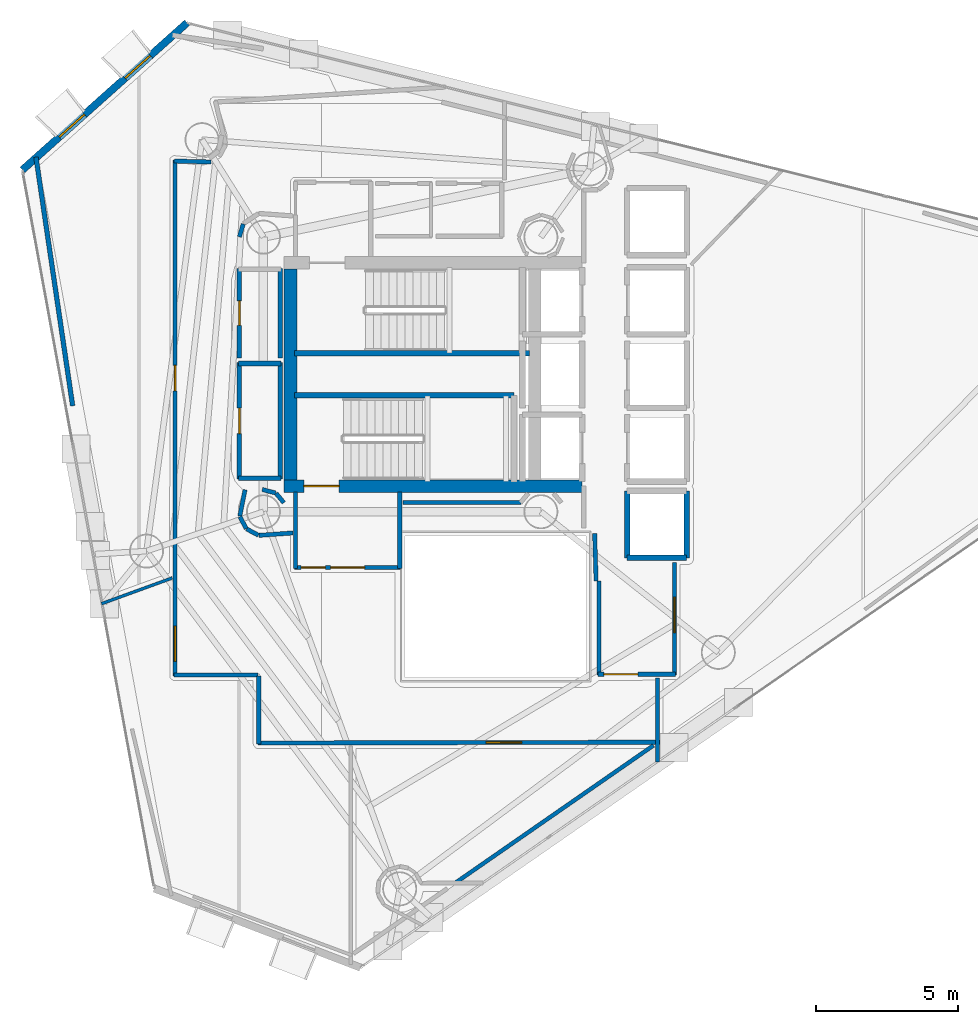
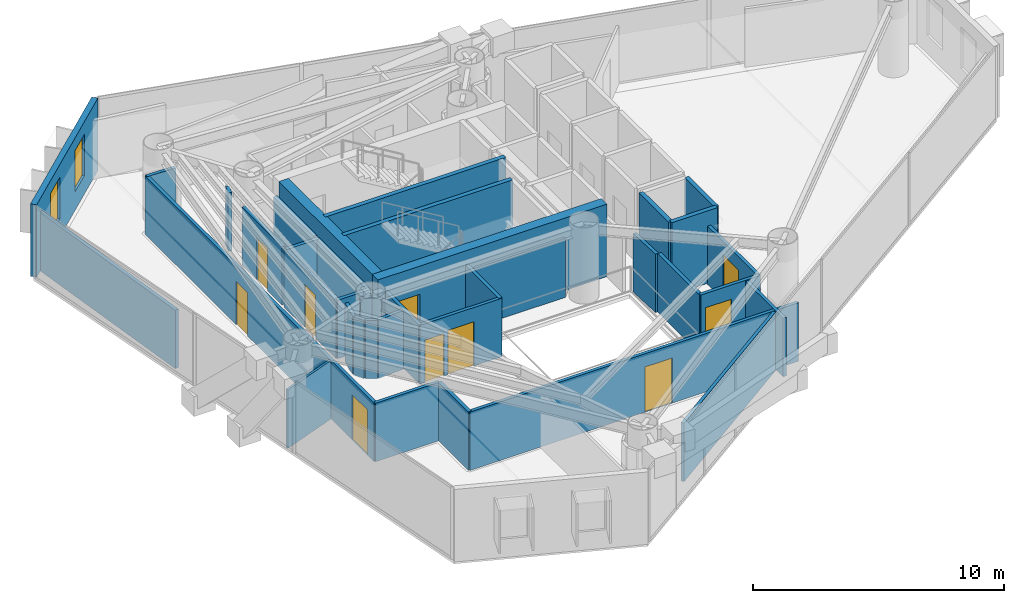
# One storey, part 19 of 23: 38 walls, 10 doors, 2 windows, 12 openings.
"""IFC4 building model written with IfcOpenShell, lengths in metres."""

from ifc_helpers import new_model, si_unit, direction, frame, frame_2d, origin, place, context, subcontext, project, spatial, rectangle, extrude, material, layer, layer_set, type_object, element, fill, save


model = new_model("IFC4")

# Units and contexts
model_context = context("Model", 3, precision=1e-05, world=origin(), true_north=direction((0.0, 1.0)))
body_context = subcontext(model_context, "Body", "Model", "MODEL_VIEW")
ifc_project = project(units=[si_unit("LENGTHUNIT", "METRE"), si_unit("AREAUNIT", "SQUARE_METRE"), si_unit("VOLUMEUNIT", "CUBIC_METRE"), si_unit("PLANEANGLEUNIT", "RADIAN"), si_unit("MASSUNIT", "GRAM", prefix="KILO")], contexts=[model_context])

# Site, building, storey
site_placement = place(None, origin())
site = spatial("IfcSite", under=ifc_project, at=site_placement, CompositionType="ELEMENT")
building_placement = place(site_placement, origin())
building = spatial("IfcBuilding", under=site, at=building_placement, Name="Qianvela Tower", CompositionType="ELEMENT")
storey_placement = place(building_placement, frame((0.0, 0.0, 192.89990234375)))
storey = spatial("IfcBuildingStorey", under=building, at=storey_placement, Name="L49", CompositionType="ELEMENT", Elevation=192.89990234375)

# Wall, openings, windows
ifc_material_1 = material(Name="Terracotta Cladding on Concrete C40", Category="masonry")
ifc_layer_1 = layer(ifc_material_1, 0.260009765625)
ifc_layer_set_1 = layer_set([ifc_layer_1], Name="Terracotta Cladding on Concrete C40")
wall_type_1 = type_object("IfcWallType", Name="TERRACOTTA-WALL-260", PredefinedType="SOLIDWALL", material=ifc_layer_set_1)
wall_1_placement = place(storey_placement, frame((25.903076171875, 41.1220703125, 0.0), z_axis=(0.0, 0.0, 1.0), x_axis=(-0.745644847866, -0.666343575681, 0.0)))
wall_1 = element("IfcWall", 1, at=wall_1_placement, inside=storey, type_object=wall_type_1, Name="L49 Terracotta Chamfer Facet Wall 3", PredefinedType="SOLIDWALL", context=body_context, shape_type="SweptSolid", body=[
    extrude(rectangle(XDim=7.798095703125, YDim=0.260009765625, at=frame_2d((3.89892578125, 0.0))), origin(), (0.0, 0.0, 1.0), 3.52001953125),
])
opening_1_placement = place(wall_1_placement, frame((1.739501953125, 0.0, 0.89990234375)))
opening_1 = element("IfcOpeningElement", 2, at=opening_1_placement, cuts=wall_1, Name="Opening W-03", PredefinedType="OPENING", context=body_context, shape_type="SweptSolid", body=[
    extrude(rectangle(XDim=1.199951171875, YDim=2.0, at=frame_2d((0.60009765625, 1.0))), frame((0.0, 0.139892578125, 0.0), z_axis=(0.0, -1.0, 0.0), x_axis=(1.0, 0.0, 0.0)), (0.0, 0.0, 1.0), 0.280029296875),
])
opening_2_placement = place(wall_1_placement, frame((4.858642578125, 0.0, 0.89990234375)))
opening_2 = element("IfcOpeningElement", 3, at=opening_2_placement, cuts=wall_1, Name="Opening W-03", PredefinedType="OPENING", context=body_context, shape_type="SweptSolid", body=[
    extrude(rectangle(XDim=1.199951171875, YDim=2.0, at=frame_2d((0.60009765625, 1.0))), frame((0.0, 0.139892578125, 0.0), z_axis=(0.0, -1.0, 0.0), x_axis=(1.0, 0.0, 0.0)), (0.0, 0.0, 1.0), 0.280029296875),
])
ifc_material_2 = material(Name="Thermally Broken Aluminium and Low-E Glass", Category="aluminium")
window_type = type_object("IfcWindowType", Name="WIN-TC-1200x2000", PartitioningType="SINGLE_PANEL", PredefinedType="WINDOW", material=ifc_material_2)
window_1_placement = place(opening_1_placement, origin())
window_1 = element("IfcWindow", 4, at=window_1_placement, inside=storey, type_object=window_type, Name="L49 Chamfer Facet Window 3.1", OverallHeight=2.0, OverallWidth=1.199951171875, PartitioningType="SINGLE_PANEL", PredefinedType="WINDOW", context=body_context, shape_type="SweptSolid", body=[
    extrude(rectangle(XDim=1.199951171875, YDim=2.0, at=frame_2d((0.60009765625, 1.0))), frame((0.0, 0.030029296875, 0.0), z_axis=(0.0, -1.0, 0.0), x_axis=(1.0, 0.0, 0.0)), (0.0, 0.0, 1.0), 0.06005859375),
])
fill(opening_1, window_1)
window_2_placement = place(opening_2_placement, origin())
window_2 = element("IfcWindow", 5, at=window_2_placement, inside=storey, type_object=window_type, Name="L49 Chamfer Facet Window 3.2", OverallHeight=2.0, OverallWidth=1.199951171875, PartitioningType="SINGLE_PANEL", PredefinedType="WINDOW", context=body_context, shape_type="SweptSolid", body=[
    extrude(rectangle(XDim=1.199951171875, YDim=2.0, at=frame_2d((0.60009765625, 1.0))), frame((0.0, 0.030029296875, 0.0), z_axis=(0.0, -1.0, 0.0), x_axis=(1.0, 0.0, 0.0)), (0.0, 0.0, 1.0), 0.06005859375),
])
fill(opening_2, window_2)

# Wall, opening, door
ifc_material_3 = material(Name="Concrete C50", Category="concrete")
ifc_layer_2 = layer(ifc_material_3, 0.449951171875)
ifc_layer_set_2 = layer_set([ifc_layer_2], Name="Concrete C50")
wall_type_2 = type_object("IfcWallType", Name="WT-CORE-450", PredefinedType="SHEAR", material=ifc_layer_set_2)
wall_2_placement = place(storey_placement, frame((29.330078125, 24.7548828125, 0.0), z_axis=(0.0, 0.0, 1.0), x_axis=(1.0, 0.0, 0.0)))
wall_2 = element("IfcWall", 6, at=wall_2_placement, inside=storey, type_object=wall_type_2, Name="L49 South Core Shear Wall", PredefinedType="SHEAR", context=body_context, shape_type="SweptSolid", body=[
    extrude(rectangle(XDim=10.52001953125, YDim=0.449951171875, at=frame_2d((5.260009765625, 0.0))), origin(), (0.0, 0.0, 1.0), 3.52001953125),
])
opening_3_placement = place(wall_2_placement, frame((0.695068359375, 0.0, 0.0)))
opening_3 = element("IfcOpeningElement", 7, at=opening_3_placement, cuts=wall_2, Name="Opening D-ST1", PredefinedType="OPENING", context=body_context, shape_type="SweptSolid", body=[
    extrude(rectangle(XDim=1.25, YDim=2.14990234375, at=frame_2d((0.625, 1.074951171875))), frame((0.0, 0.23486328125, 0.0), z_axis=(0.0, -1.0, 0.0), x_axis=(1.0, 0.0, 0.0)), (0.0, 0.0, 1.0), 0.469970703125),
])
ifc_material_4 = material(Name="Galvanised Fire Steel Q355B", Category="steel")
door_type_1 = type_object("IfcDoorType", Name="DT-STAIR-FD90", OperationType="NOTDEFINED", PredefinedType="DOOR", material=ifc_material_4)
door_1_placement = place(opening_3_placement, origin())
door_1 = element("IfcDoor", 8, at=door_1_placement, inside=storey, type_object=door_type_1, Name="L49 Stair ST-2 Exit Door", OperationType="SINGLE_SWING_LEFT", OverallHeight=2.14990234375, OverallWidth=1.25, PredefinedType="DOOR", context=body_context, shape_type="SweptSolid", body=[
    extrude(rectangle(XDim=1.25, YDim=2.14990234375, at=frame_2d((0.625, 1.074951171875))), frame((0.0, 0.02490234375, 0.0), z_axis=(0.0, -1.0, 0.0), x_axis=(1.0, 0.0, 0.0)), (0.0, 0.0, 1.0), 0.050048828125),
])
fill(opening_3, door_1)

# Wall
wall_3_placement = place(storey_placement, frame((29.554931640625, 24.97998046875, 0.0), z_axis=(0.0, 0.0, 1.0), x_axis=(0.0, 1.0, 0.0)))
element("IfcWall", 9, at=wall_3_placement, inside=storey, type_object=wall_type_2, Name="L49 West Core Shear Wall", PredefinedType="SHEAR", context=body_context, shape_type="SweptSolid", body=[
    extrude(rectangle(XDim=7.43994140625, YDim=0.449951171875, at=frame_2d((3.719970703125, 0.0))), origin(), (0.0, 0.0, 1.0), 3.52001953125),
])

# Wall, openings, doors
ifc_material_5 = material(Name="Fire-Rated Acoustic Gypsum Board")
ifc_layer_3 = layer(ifc_material_5, 0.14990234375)
ifc_layer_set_3 = layer_set([ifc_layer_3], Name="Fire-Rated Acoustic Gypsum Board")
wall_type_3 = type_object("IfcWallType", Name="WT-CORR-150", PredefinedType="PARTITIONING", material=ifc_layer_set_3)
wall_4_placement = place(storey_placement, frame((33.449951171875, 21.881103515625, 0.0), z_axis=(0.0, 0.0, 1.0), x_axis=(-1.0, 0.0, 0.0)))
wall_4 = element("IfcWall", 10, at=wall_4_placement, inside=storey, type_object=wall_type_3, Name="L49 Partition 5", PredefinedType="PARTITIONING", context=body_context, shape_type="SweptSolid", body=[
    extrude(rectangle(XDim=3.75, YDim=0.14990234375, at=frame_2d((1.875, 0.0))), origin(), (0.0, 0.0, 1.0), 2.840087890625),
])
opening_4_placement = place(wall_4_placement, frame((1.27490234375, 0.0, 0.0)))
opening_4 = element("IfcOpeningElement", 11, at=opening_4_placement, cuts=wall_4, Name="Opening D-LB1", PredefinedType="OPENING", context=body_context, shape_type="SweptSolid", body=[
    extrude(rectangle(XDim=1.199951171875, YDim=2.14990234375, at=frame_2d((0.60009765625, 1.074951171875))), frame((0.0, 0.0849609375, 0.0), z_axis=(0.0, -1.0, 0.0), x_axis=(1.0, 0.0, 0.0)), (0.0, 0.0, 1.0), 0.169921875),
])
opening_5_placement = place(wall_4_placement, frame((2.659912109375, 0.0, 0.0)))
opening_5 = element("IfcOpeningElement", 12, at=opening_5_placement, cuts=wall_4, Name="Opening D-LB2", PredefinedType="OPENING", context=body_context, shape_type="SweptSolid", body=[
    extrude(rectangle(XDim=0.860107421875, YDim=2.050048828125, at=frame_2d((0.43017578125, 1.02490234375))), frame((0.0, 0.0849609375, 0.0), z_axis=(0.0, -1.0, 0.0), x_axis=(1.0, 0.0, 0.0)), (0.0, 0.0, 1.0), 0.169921875),
])
ifc_material_6 = material(Name="Glazed Fire-Rated Steel Frame", Category="steel")
door_type_2 = type_object("IfcDoorType", Name="DT-LOBBY-FD90", OperationType="NOTDEFINED", PredefinedType="DOOR", material=ifc_material_6)
door_2_placement = place(opening_4_placement, origin())
door_2 = element("IfcDoor", 13, at=door_2_placement, inside=storey, type_object=door_type_2, Name="L49 Door L49 Firefighting Lobby South to L49 Floor Corridor", OperationType="SINGLE_SWING_RIGHT", OverallHeight=2.14990234375, OverallWidth=1.199951171875, PredefinedType="DOOR", context=body_context, shape_type="SweptSolid", body=[
    extrude(rectangle(XDim=1.199951171875, YDim=2.14990234375, at=frame_2d((0.60009765625, 1.074951171875))), frame((0.0, 0.02490234375, 0.0), z_axis=(0.0, -1.0, 0.0), x_axis=(1.0, 0.0, 0.0)), (0.0, 0.0, 1.0), 0.050048828125),
])
fill(opening_4, door_2)
ifc_material_7 = material(Name="Insulated Steel Fire Door Q355B", Category="steel")
door_type_3 = type_object("IfcDoorType", Name="DT-LOBBY-FD90-860", OperationType="NOTDEFINED", PredefinedType="DOOR", material=ifc_material_7)
door_3_placement = place(opening_5_placement, origin())
door_3 = element("IfcDoor", 14, at=door_3_placement, inside=storey, type_object=door_type_3, Name="L49 Door L49 Firefighting Lobby South to L49 Floor Corridor", OperationType="SINGLE_SWING_RIGHT", OverallHeight=2.050048828125, OverallWidth=0.860107421875, PredefinedType="DOOR", context=body_context, shape_type="SweptSolid", body=[
    extrude(rectangle(XDim=0.860107421875, YDim=2.050048828125, at=frame_2d((0.43017578125, 1.02490234375))), frame((0.0, 0.02490234375, 0.0), z_axis=(0.0, -1.0, 0.0), x_axis=(1.0, 0.0, 0.0)), (0.0, 0.0, 1.0), 0.050048828125),
])
fill(opening_5, door_3)

# Walls
for number, where, z_axis, x_axis, name in (
    (15, (29.73095703125, 21.85009765625, 0.0), (0.0, 0.0, 1.0), (0.0, 1.0, 0.0), "L49 Partition 6"),
    (16, (33.4189453125, 24.5419921875, 0.0), (0.0, 0.0, 1.0), (0.0, -1.0, 0.0), "L49 Partition 8"),
):
    element("IfcWall", number, at=place(storey_placement, frame(where, z_axis=z_axis, x_axis=x_axis)), inside=storey, type_object=wall_type_3, Name=name, PredefinedType="PARTITIONING", context=body_context, shape_type="SweptSolid", body=[
        extrude(rectangle(XDim=2.69189453125, YDim=0.14990234375, at=frame_2d((1.345947265625, 0.0))), origin(), (0.0, 0.0, 1.0), 2.840087890625),
    ])
wall_5_placement = place(storey_placement, frame((40.35107421875, 21.40087890625, 0.0), z_axis=(0.0, 0.0, 1.0), x_axis=(-0.031058045979, 0.999517582527, 0.0)))
element("IfcWall", 17, at=wall_5_placement, inside=storey, type_object=wall_type_3, Name="L49 Partition 9", PredefinedType="PARTITIONING", context=body_context, shape_type="SweptSolid", body=[
    extrude(rectangle(XDim=1.68212890625, YDim=0.14990234375, at=frame_2d((0.841064453125, 0.0))), origin(), (0.0, 0.0, 1.0), 2.840087890625),
])

# Wall, opening, door
wall_6_placement = place(storey_placement, frame((43.118896484375, 22.050048828125, 0.0), z_axis=(0.0, 0.0, 1.0), x_axis=(0.0, -1.0, 0.0)))
wall_6 = element("IfcWall", 18, at=wall_6_placement, inside=storey, type_object=wall_type_3, Name="L49 Partition 17", PredefinedType="PARTITIONING", context=body_context, shape_type="SweptSolid", body=[
    extrude(rectangle(XDim=3.969970703125, YDim=0.14990234375, at=frame_2d((1.98486328125, 0.0))), origin(), (0.0, 0.0, 1.0), 2.840087890625),
])
opening_6_placement = place(wall_6_placement, frame((1.219970703125, 0.0, 0.0)))
opening_6 = element("IfcOpeningElement", 19, at=opening_6_placement, cuts=wall_6, Name="Opening D-LG1", PredefinedType="OPENING", context=body_context, shape_type="SweptSolid", body=[
    extrude(rectangle(XDim=1.25, YDim=2.199951171875, at=frame_2d((0.625, 1.10009765625))), frame((0.0, 0.0849609375, 0.0), z_axis=(0.0, -1.0, 0.0), x_axis=(1.0, 0.0, 0.0)), (0.0, 0.0, 1.0), 0.169921875),
])
ifc_material_8 = material(Name="Anodised Aluminium Acoustic Glass Door", Category="aluminium")
door_type_4 = type_object("IfcDoorType", Name="DT-LOUNGE-1250", OperationType="NOTDEFINED", PredefinedType="DOOR", material=ifc_material_8)
door_4_placement = place(opening_6_placement, origin())
door_4 = element("IfcDoor", 20, at=door_4_placement, inside=storey, type_object=door_type_4, Name="L49 Door Panoramic Study Lounge L49-03 to L49 Lift Lobby", OperationType="SINGLE_SWING_LEFT", OverallHeight=2.199951171875, OverallWidth=1.25, PredefinedType="DOOR", context=body_context, shape_type="SweptSolid", body=[
    extrude(rectangle(XDim=1.25, YDim=2.199951171875, at=frame_2d((0.625, 1.10009765625))), frame((0.0, 0.02490234375, 0.0), z_axis=(0.0, -1.0, 0.0), x_axis=(1.0, 0.0, 0.0)), (0.0, 0.0, 1.0), 0.050048828125),
])
fill(opening_6, door_4)

wall_7_placement = place(storey_placement, frame((43.14990234375, 18.111083984375, 0.0), z_axis=(0.0, 0.0, 1.0), x_axis=(-1.0, 0.0, 0.0)))
wall_7 = element("IfcWall", 21, at=wall_7_placement, inside=storey, type_object=wall_type_3, Name="L49 Partition 18", PredefinedType="PARTITIONING", context=body_context, shape_type="SweptSolid", body=[
    extrude(rectangle(XDim=2.72998046875, YDim=0.14990234375, at=frame_2d((1.364990234375, 0.0))), origin(), (0.0, 0.0, 1.0), 2.840087890625),
])
opening_7_placement = place(wall_7_placement, frame((1.324951171875, 0.0, 0.0)))
opening_7 = element("IfcOpeningElement", 22, at=opening_7_placement, cuts=wall_7, Name="Opening D-LB1", PredefinedType="OPENING", context=body_context, shape_type="SweptSolid", body=[
    extrude(rectangle(XDim=1.199951171875, YDim=2.14990234375, at=frame_2d((0.60009765625, 1.074951171875))), frame((0.0, 0.0849609375, 0.0), z_axis=(0.0, -1.0, 0.0), x_axis=(1.0, 0.0, 0.0)), (0.0, 0.0, 1.0), 0.169921875),
])
door_5_placement = place(opening_7_placement, origin())
door_5 = element("IfcDoor", 23, at=door_5_placement, inside=storey, type_object=door_type_2, Name="L49 Door L49 Lift Lobby to L49 Floor Corridor", OperationType="SINGLE_SWING_LEFT", OverallHeight=2.14990234375, OverallWidth=1.199951171875, PredefinedType="DOOR", context=body_context, shape_type="SweptSolid", body=[
    extrude(rectangle(XDim=1.199951171875, YDim=2.14990234375, at=frame_2d((0.60009765625, 1.074951171875))), frame((0.0, 0.02490234375, 0.0), z_axis=(0.0, -1.0, 0.0), x_axis=(1.0, 0.0, 0.0)), (0.0, 0.0, 1.0), 0.050048828125),
])
fill(opening_7, door_5)

# Walls
wall_8_placement = place(storey_placement, frame((40.450927734375, 18.080078125, 0.0), z_axis=(0.0, 0.0, 1.0), x_axis=(0.0, 1.0, 0.0)))
element("IfcWall", 24, at=wall_8_placement, inside=storey, type_object=wall_type_3, Name="L49 Partition 19 seg 1", PredefinedType="PARTITIONING", context=body_context, shape_type="SweptSolid", body=[
    extrude(rectangle(XDim=3.31982421875, YDim=0.14990234375, at=frame_2d((1.659912109375, 0.0))), origin(), (0.0, 0.0, 1.0), 2.840087890625),
])
wall_9_placement = place(storey_placement, frame((29.321044921875, 24.169921875, 0.0), z_axis=(0.0, 0.0, 1.0), x_axis=(-0.638008265708, 0.770029514296, 0.0)))
element("IfcWall", 25, at=wall_9_placement, inside=storey, type_object=wall_type_3, Name="L49 Partition 40", PredefinedType="PARTITIONING", context=body_context, shape_type="SweptSolid", body=[
    extrude(rectangle(XDim=0.430908203125, YDim=0.14990234375, at=frame_2d((0.21533203125, 0.0))), origin(), (0.0, 0.0, 1.0), 2.840087890625),
])
wall_10_placement = place(storey_placement, frame((29.030029296875, 24.511962890625, 0.0), z_axis=(0.0, 0.0, 1.0), x_axis=(-0.967681003213, 0.252177469296, 0.0)))
element("IfcWall", 26, at=wall_10_placement, inside=storey, type_object=wall_type_3, Name="L49 Partition 41", PredefinedType="PARTITIONING", context=body_context, shape_type="SweptSolid", body=[
    extrude(rectangle(XDim=0.488037109375, YDim=0.14990234375, at=frame_2d((0.244140625, 0.0))), origin(), (0.0, 0.0, 1.0), 2.840087890625),
])
wall_11_placement = place(storey_placement, frame((37.70263671875, 24.180908203125, 0.0), z_axis=(0.0, 0.0, 1.0), x_axis=(-1.0, 0.0, 0.0)))
element("IfcWall", 27, at=wall_11_placement, inside=storey, type_object=wall_type_3, Name="L49 Partition 53", PredefinedType="PARTITIONING", context=body_context, shape_type="SweptSolid", body=[
    extrude(rectangle(XDim=4.172607421875, YDim=0.14990234375, at=frame_2d((2.08642578125, 0.0))), origin(), (0.0, 0.0, 1.0), 2.840087890625),
])
wall_12_placement = place(storey_placement, frame((27.888427734375, 34.0146484375, 0.0), z_axis=(0.0, 0.0, 1.0), x_axis=(-0.290263585829, -0.956946733492, 0.0)))
element("IfcWall", 28, at=wall_12_placement, inside=storey, type_object=wall_type_3, Name="L49 Partition 62", PredefinedType="PARTITIONING", context=body_context, shape_type="SweptSolid", body=[
    extrude(rectangle(XDim=0.47607421875, YDim=0.14990234375, at=frame_2d((0.238037109375, 0.0))), origin(), (0.0, 0.0, 1.0), 2.840087890625),
])
wall_13_placement = place(storey_placement, frame((27.950439453125, 24.626220703125, 0.0), z_axis=(0.0, 0.0, 1.0), x_axis=(-0.195125950178, -0.980778192848, 0.0)))
element("IfcWall", 29, at=wall_13_placement, inside=storey, type_object=wall_type_3, Name="L49 Partition 66", PredefinedType="PARTITIONING", context=body_context, shape_type="SweptSolid", body=[
    extrude(rectangle(XDim=0.948486328125, YDim=0.14990234375, at=frame_2d((0.47412109375, 0.0))), origin(), (0.0, 0.0, 1.0), 2.840087890625),
])
for number, where, z_axis, x_axis, name in (
    (30, (27.768310546875, 23.67529296875, 0.0), (0.0, 0.0, 1.0), (0.471865548338, -0.881670519123, 0.0), "L49 Partition 67"),
    (31, (28.005615234375, 23.242919921875, 0.0), (0.0, 0.0, 1.0), (0.881670519123, -0.471865548338, 0.0), "L49 Partition 68"),
):
    element("IfcWall", number, at=place(storey_placement, frame(where, z_axis=z_axis, x_axis=x_axis)), inside=storey, type_object=wall_type_3, Name=name, PredefinedType="PARTITIONING", context=body_context, shape_type="SweptSolid", body=[
        extrude(rectangle(XDim=0.47607421875, YDim=0.14990234375, at=frame_2d((0.238037109375, 0.0))), origin(), (0.0, 0.0, 1.0), 2.840087890625),
    ])
wall_14_placement = place(storey_placement, frame((28.4423828125, 23.014892578125, 0.0), z_axis=(0.0, 0.0, 1.0), x_axis=(0.99740683837, 0.07196942943, 0.0)))
element("IfcWall", 32, at=wall_14_placement, inside=storey, type_object=wall_type_3, Name="L49 Partition 69", PredefinedType="PARTITIONING", context=body_context, shape_type="SweptSolid", body=[
    extrude(rectangle(XDim=1.200927734375, YDim=0.14990234375, at=frame_2d((0.6005859375, 0.0))), origin(), (0.0, 0.0, 1.0), 2.840087890625),
])
wall_15_placement = place(storey_placement, frame((42.51904296875, 17.97998046875, 0.0), z_axis=(0.0, 0.0, 1.0), x_axis=(0.0, -1.0, 0.0)))
element("IfcWall", 33, at=wall_15_placement, inside=storey, type_object=wall_type_3, Name="L49 Partition 73", PredefinedType="PARTITIONING", context=body_context, shape_type="SweptSolid", body=[
    extrude(rectangle(XDim=2.9765625, YDim=0.14990234375, at=frame_2d((1.48828125, 0.0))), origin(), (0.0, 0.0, 1.0), 2.840087890625),
])

# Wall, opening, door
wall_16_placement = place(storey_placement, frame((43.52978515625, 15.710693359375, 0.0), z_axis=(0.0, 0.0, 1.0), x_axis=(-0.999998062252, -0.00196862718, 0.0)))
wall_16 = element("IfcWall", 34, at=wall_16_placement, inside=storey, type_object=wall_type_3, Name="L49 Partition 74", PredefinedType="PARTITIONING", context=body_context, shape_type="SweptSolid", body=[
    extrude(rectangle(XDim=15.1298828125, YDim=0.14990234375, at=frame_2d((7.56494140625, 0.0))), origin(), (0.0, 0.0, 1.0), 2.840087890625),
])
opening_8_placement = place(wall_16_placement, frame((5.812744140625, 0.0, 0.0)))
opening_8 = element("IfcOpeningElement", 35, at=opening_8_placement, cuts=wall_16, Name="Opening D-LG1", PredefinedType="OPENING", context=body_context, shape_type="SweptSolid", body=[
    extrude(rectangle(XDim=1.25, YDim=2.199951171875, at=frame_2d((0.625, 1.10009765625))), frame((0.0, 0.0849609375, 0.0), z_axis=(0.0, -1.0, 0.0), x_axis=(1.0, 0.0, 0.0)), (0.0, 0.0, 1.0), 0.169921875),
])
door_6_placement = place(opening_8_placement, origin())
door_6 = element("IfcDoor", 36, at=door_6_placement, inside=storey, type_object=door_type_4, Name="L49 Door Media Practice Cinema L49-02 to L49 Floor Corridor", OperationType="SINGLE_SWING_RIGHT", OverallHeight=2.199951171875, OverallWidth=1.25, PredefinedType="DOOR", context=body_context, shape_type="SweptSolid", body=[
    extrude(rectangle(XDim=1.25, YDim=2.199951171875, at=frame_2d((0.625, 1.10009765625))), frame((0.0, 0.02490234375, 0.0), z_axis=(0.0, -1.0, 0.0), x_axis=(1.0, 0.0, 0.0)), (0.0, 0.0, 1.0), 0.050048828125),
])
fill(opening_8, door_6)

# Walls
wall_17_placement = place(storey_placement, frame((28.430908203125, 15.64990234375, 0.0), z_axis=(0.0, 0.0, 1.0), x_axis=(0.0, 1.0, 0.0)))
element("IfcWall", 37, at=wall_17_placement, inside=storey, type_object=wall_type_3, Name="L49 Partition 75", PredefinedType="PARTITIONING", context=body_context, shape_type="SweptSolid", body=[
    extrude(rectangle(XDim=2.400146484375, YDim=0.14990234375, at=frame_2d((1.2001953125, 0.0))), origin(), (0.0, 0.0, 1.0), 2.840087890625),
])
wall_18_placement = place(storey_placement, frame((28.39990234375, 18.0810546875, 0.0), z_axis=(0.0, 0.0, 1.0), x_axis=(-1.0, 0.0, 0.0)))
element("IfcWall", 38, at=wall_18_placement, inside=storey, type_object=wall_type_3, Name="L49 Partition 76", PredefinedType="PARTITIONING", context=body_context, shape_type="SweptSolid", body=[
    extrude(rectangle(XDim=2.949951171875, YDim=0.14990234375, at=frame_2d((1.47509765625, 0.0))), origin(), (0.0, 0.0, 1.0), 2.840087890625),
])

# Wall, openings, doors
wall_19_placement = place(storey_placement, frame((25.48095703125, 18.050048828125, 0.0), z_axis=(0.0, 0.0, 1.0), x_axis=(0.0, 1.0, 0.0)))
wall_19 = element("IfcWall", 39, at=wall_19_placement, inside=storey, type_object=wall_type_3, Name="L49 Partition 77", PredefinedType="PARTITIONING", context=body_context, shape_type="SweptSolid", body=[
    extrude(rectangle(XDim=18.218505859375, YDim=0.14990234375, at=frame_2d((9.109375, 0.0))), origin(), (0.0, 0.0, 1.0), 2.840087890625),
])
opening_9_placement = place(wall_19_placement, frame((0.5107421875, 0.0, 0.0)))
opening_9 = element("IfcOpeningElement", 40, at=opening_9_placement, cuts=wall_19, Name="Opening D-LG1", PredefinedType="OPENING", context=body_context, shape_type="SweptSolid", body=[
    extrude(rectangle(XDim=1.25, YDim=2.199951171875, at=frame_2d((0.625, 1.10009765625))), frame((0.0, 0.0849609375, 0.0), z_axis=(0.0, -1.0, 0.0), x_axis=(1.0, 0.0, 0.0)), (0.0, 0.0, 1.0), 0.169921875),
])
opening_10_placement = place(wall_19_placement, frame((10.0703125, 0.0, 0.0)))
opening_10 = element("IfcOpeningElement", 41, at=opening_10_placement, cuts=wall_19, Name="Opening D-KT1", PredefinedType="OPENING", context=body_context, shape_type="SweptSolid", body=[
    extrude(rectangle(XDim=0.89990234375, YDim=2.10009765625, at=frame_2d((0.449951171875, 1.050048828125))), frame((0.0, 0.0849609375, 0.0), z_axis=(0.0, -1.0, 0.0), x_axis=(1.0, 0.0, 0.0)), (0.0, 0.0, 1.0), 0.169921875),
])
ifc_material_9 = material(Name="Glazed Timber Kitchen Door", Category="wood")
door_type_5 = type_object("IfcDoorType", Name="DT-KITCH-900", OperationType="NOTDEFINED", PredefinedType="DOOR", material=ifc_material_9)
door_7_placement = place(opening_10_placement, origin())
door_7 = element("IfcDoor", 42, at=door_7_placement, inside=storey, type_object=door_type_5, Name="L49 Door Shared Communal Kitchen L49-05 to L49 Floor Corridor", OperationType="SINGLE_SWING_RIGHT", OverallHeight=2.10009765625, OverallWidth=0.89990234375, PredefinedType="DOOR", context=body_context, shape_type="SweptSolid", body=[
    extrude(rectangle(XDim=0.89990234375, YDim=2.10009765625, at=frame_2d((0.449951171875, 1.050048828125))), frame((0.0, 0.02490234375, 0.0), z_axis=(0.0, -1.0, 0.0), x_axis=(1.0, 0.0, 0.0)), (0.0, 0.0, 1.0), 0.050048828125),
])
fill(opening_10, door_7)
door_8_placement = place(opening_9_placement, origin())
door_8 = element("IfcDoor", 43, at=door_8_placement, inside=storey, type_object=door_type_4, Name="L49 Door Student Reading Library L49-01 to L49 Floor Corridor", OperationType="SINGLE_SWING_LEFT", OverallHeight=2.199951171875, OverallWidth=1.25, PredefinedType="DOOR", context=body_context, shape_type="SweptSolid", body=[
    extrude(rectangle(XDim=1.25, YDim=2.199951171875, at=frame_2d((0.625, 1.10009765625))), frame((0.0, 0.02490234375, 0.0), z_axis=(0.0, -1.0, 0.0), x_axis=(1.0, 0.0, 0.0)), (0.0, 0.0, 1.0), 0.050048828125),
])
fill(opening_9, door_8)

# Walls
wall_20_placement = place(storey_placement, frame((25.44921875, 36.237548828125, 0.0), z_axis=(0.0, 0.0, 1.0), x_axis=(0.999651698073, -0.026390955635, 0.0)))
element("IfcWall", 44, at=wall_20_placement, inside=storey, type_object=wall_type_3, Name="L49 Partition 78", PredefinedType="PARTITIONING", context=body_context, shape_type="SweptSolid", body=[
    extrude(rectangle(XDim=1.295166015625, YDim=0.14990234375, at=frame_2d((0.6474609375, 0.0))), origin(), (0.0, 0.0, 1.0), 2.840087890625),
])
ifc_material_10 = material(Name="Lightweight Gypsum Room Partition")
ifc_layer_4 = layer(ifc_material_10, 0.10498046875)
ifc_layer_set_4 = layer_set([ifc_layer_4], Name="Lightweight Gypsum Room Partition")
wall_type_4 = type_object("IfcWallType", Name="WT-PART-105", PredefinedType="PARTITIONING", material=ifc_layer_set_4)
wall_21_placement = place(storey_placement, frame((22.880859375, 20.601318359375, 0.0), z_axis=(0.0, 0.0, 1.0), x_axis=(0.939683512966, 0.342045165819, 0.0)))
element("IfcWall", 45, at=wall_21_placement, inside=storey, type_object=wall_type_4, Name="L49 Partition 81", PredefinedType="PARTITIONING", context=body_context, shape_type="SweptSolid", body=[
    extrude(rectangle(XDim=2.66015625, YDim=0.10498046875, at=frame_2d((1.330078125, 0.0))), origin(), (0.0, 0.0, 1.0), 2.840087890625),
])

# Wall, opening, door
ifc_material_11 = material(Name="Sanitary Service Chase Partition")
ifc_layer_5 = layer(ifc_material_11, 0.1650390625)
ifc_layer_set_5 = layer_set([ifc_layer_5], Name="Sanitary Service Chase Partition")
wall_type_5 = type_object("IfcWallType", Name="WT-PLUMB-165", PredefinedType="PLUMBINGWALL", material=ifc_layer_set_5)
wall_22_placement = place(storey_placement, frame((27.7509765625, 25.0, 0.0), z_axis=(0.0, 0.0, 1.0), x_axis=(0.0, 1.0, 0.0)))
wall_22 = element("IfcWall", 46, at=wall_22_placement, inside=storey, type_object=wall_type_5, Name="L49 Partition 28", PredefinedType="PLUMBINGWALL", context=body_context, shape_type="SweptSolid", body=[
    extrude(rectangle(XDim=4.1201171875, YDim=0.1650390625, at=frame_2d((2.06005859375, 0.0))), origin(), (0.0, 0.0, 1.0), 2.840087890625),
])
opening_11_placement = place(wall_22_placement, frame((1.610107421875, 0.0, 0.0)))
opening_11 = element("IfcOpeningElement", 47, at=opening_11_placement, cuts=wall_22, Name="Opening D-KT1", PredefinedType="OPENING", context=body_context, shape_type="SweptSolid", body=[
    extrude(rectangle(XDim=0.89990234375, YDim=2.10009765625, at=frame_2d((0.449951171875, 1.050048828125))), frame((0.0, 0.092529296875, 0.0), z_axis=(0.0, -1.0, 0.0), x_axis=(1.0, 0.0, 0.0)), (0.0, 0.0, 1.0), 0.18505859375),
])
door_9_placement = place(opening_11_placement, origin())
door_9 = element("IfcDoor", 48, at=door_9_placement, inside=storey, type_object=door_type_5, Name="L49 Door L49 Core Tea Pantry West to L49 Floor Corridor", OperationType="SINGLE_SWING_RIGHT", OverallHeight=2.10009765625, OverallWidth=0.89990234375, PredefinedType="DOOR", context=body_context, shape_type="SweptSolid", body=[
    extrude(rectangle(XDim=0.89990234375, YDim=2.10009765625, at=frame_2d((0.449951171875, 1.050048828125))), frame((0.0, 0.02490234375, 0.0), z_axis=(0.0, -1.0, 0.0), x_axis=(1.0, 0.0, 0.0)), (0.0, 0.0, 1.0), 0.050048828125),
])
fill(opening_11, door_9)

# Walls
wall_23_placement = place(storey_placement, frame((27.719970703125, 29.089111328125, 0.0), z_axis=(0.0, 0.0, 1.0), x_axis=(1.0, 0.0, 0.0)))
element("IfcWall", 49, at=wall_23_placement, inside=storey, type_object=wall_type_5, Name="L49 Partition 29", PredefinedType="PLUMBINGWALL", context=body_context, shape_type="SweptSolid", body=[
    extrude(rectangle(XDim=1.5, YDim=0.1650390625, at=frame_2d((0.75, 0.0))), origin(), (0.0, 0.0, 1.0), 2.840087890625),
])
wall_24_placement = place(storey_placement, frame((29.18896484375, 29.1201171875, 0.0), z_axis=(0.0, 0.0, 1.0), x_axis=(0.0, -1.0, 0.0)))
element("IfcWall", 50, at=wall_24_placement, inside=storey, type_object=wall_type_5, Name="L49 Partition 30", PredefinedType="PLUMBINGWALL", context=body_context, shape_type="SweptSolid", body=[
    extrude(rectangle(XDim=4.1201171875, YDim=0.1650390625, at=frame_2d((2.06005859375, 0.0))), origin(), (0.0, 0.0, 1.0), 2.840087890625),
])
wall_25_placement = place(storey_placement, frame((29.219970703125, 25.031005859375, 0.0), z_axis=(0.0, 0.0, 1.0), x_axis=(-1.0, 0.0, 0.0)))
element("IfcWall", 51, at=wall_25_placement, inside=storey, type_object=wall_type_5, Name="L49 Partition 31", PredefinedType="PLUMBINGWALL", context=body_context, shape_type="SweptSolid", body=[
    extrude(rectangle(XDim=1.5, YDim=0.1650390625, at=frame_2d((0.75, 0.0))), origin(), (0.0, 0.0, 1.0), 2.840087890625),
])

# Wall, opening, door
wall_26_placement = place(storey_placement, frame((27.7509765625, 29.280029296875, 0.0), z_axis=(0.0, 0.0, 1.0), x_axis=(0.0, 1.0, 0.0)))
wall_26 = element("IfcWall", 52, at=wall_26_placement, inside=storey, type_object=wall_type_5, Name="L49 Partition 32", PredefinedType="PLUMBINGWALL", context=body_context, shape_type="SweptSolid", body=[
    extrude(rectangle(XDim=3.169921875, YDim=0.1650390625, at=frame_2d((1.5849609375, 0.0))), origin(), (0.0, 0.0, 1.0), 2.840087890625),
])
opening_12_placement = place(wall_26_placement, frame((1.155029296875, 0.0, 0.0)))
opening_12 = element("IfcOpeningElement", 53, at=opening_12_placement, cuts=wall_26, Name="Opening D-WC1", PredefinedType="OPENING", context=body_context, shape_type="SweptSolid", body=[
    extrude(rectangle(XDim=0.860107421875, YDim=2.050048828125, at=frame_2d((0.43017578125, 1.02490234375))), frame((0.0, 0.092529296875, 0.0), z_axis=(0.0, -1.0, 0.0), x_axis=(1.0, 0.0, 0.0)), (0.0, 0.0, 1.0), 0.18505859375),
])
ifc_material_12 = material(Name="Moisture-Sealed Acoustic Timber Door", Category="wood")
door_type_6 = type_object("IfcDoorType", Name="DT-WC-860", OperationType="NOTDEFINED", PredefinedType="DOOR", material=ifc_material_12)
door_10_placement = place(opening_12_placement, origin())
door_10 = element("IfcDoor", 54, at=door_10_placement, inside=storey, type_object=door_type_6, Name="L49 Door L49 Accessible WC to L49 Floor Corridor", OperationType="SINGLE_SWING_LEFT", OverallHeight=2.050048828125, OverallWidth=0.860107421875, PredefinedType="DOOR", context=body_context, shape_type="SweptSolid", body=[
    extrude(rectangle(XDim=0.860107421875, YDim=2.050048828125, at=frame_2d((0.43017578125, 1.02490234375))), frame((0.0, 0.02490234375, 0.0), z_axis=(0.0, -1.0, 0.0), x_axis=(1.0, 0.0, 0.0)), (0.0, 0.0, 1.0), 0.050048828125),
])
fill(opening_12, door_10)

# Walls
wall_27_placement = place(storey_placement, frame((29.18896484375, 32.449951171875, 0.0), z_axis=(0.0, 0.0, 1.0), x_axis=(0.0, -1.0, 0.0)))
element("IfcWall", 55, at=wall_27_placement, inside=storey, type_object=wall_type_5, Name="L49 Partition 34", PredefinedType="PLUMBINGWALL", context=body_context, shape_type="SweptSolid", body=[
    extrude(rectangle(XDim=3.169921875, YDim=0.1650390625, at=frame_2d((1.5849609375, 0.0))), origin(), (0.0, 0.0, 1.0), 2.840087890625),
])
wall_28_placement = place(storey_placement, frame((21.862548828125, 27.588623046875, 0.0), z_axis=(0.0, 0.0, 1.0), x_axis=(-0.145956904229, 0.989290949169, 0.0)))
element("IfcWall", 56, at=wall_28_placement, inside=storey, type_object=wall_type_5, Name="L49 Partition 145 seg 1", PredefinedType="PLUMBINGWALL", context=body_context, shape_type="SweptSolid", body=[
    extrude(rectangle(XDim=8.882080078125, YDim=0.1650390625, at=frame_2d((4.44091796875, 0.0))), origin(), (0.0, 0.0, 1.0), 2.840087890625),
])
ifc_material_13 = material(Name="Acoustic Double Gypsum Stud Partition")
ifc_layer_6 = layer(ifc_material_13, 0.139892578125)
ifc_layer_set_6 = layer_set([ifc_layer_6], Name="Acoustic Double Gypsum Stud Partition")
wall_type_6 = type_object("IfcWallType", Name="WT-ROOM-140", PredefinedType="PARTITIONING", material=ifc_layer_set_6)
wall_29_placement = place(storey_placement, frame((42.376708984375, 15.595458984375, 0.0), z_axis=(0.0, 0.0, 1.0), x_axis=(-0.821614609727, -0.570043360704, 0.0)))
element("IfcWall", 57, at=wall_29_placement, inside=storey, type_object=wall_type_6, Name="L49 Partition 103", PredefinedType="PARTITIONING", context=body_context, shape_type="SweptSolid", body=[
    extrude(rectangle(XDim=8.54296875, YDim=0.139892578125, at=frame_2d((4.271484375, 0.0))), origin(), (0.0, 0.0, 1.0), 2.840087890625),
])
ifc_material_14 = material(Name="Concrete C50", Category="concrete")
ifc_layer_7 = layer(ifc_material_14, 0.199951171875)
ifc_layer_set_7 = layer_set([ifc_layer_7], Name="Concrete C50")
wall_type_7 = type_object("IfcWallType", Name="WT-SHAFT-200", PredefinedType="SOLIDWALL", material=ifc_layer_set_7)
wall_30_placement = place(storey_placement, frame((29.699951171875, 29.449951171875, 0.0), z_axis=(0.0, 0.0, 1.0), x_axis=(1.0, 0.0, 0.0)))
element("IfcWall", 58, at=wall_30_placement, inside=storey, type_object=wall_type_7, Name="L49 Stair ST-1 South Wall", PredefinedType="SOLIDWALL", context=body_context, shape_type="SweptSolid", body=[
    extrude(rectangle(XDim=8.300048828125, YDim=0.199951171875, at=frame_2d((4.14990234375, 0.0))), origin(), (0.0, 0.0, 1.0), 3.52001953125),
])
wall_31_placement = place(storey_placement, frame((29.699951171875, 27.9599609375, 0.0), z_axis=(0.0, 0.0, 1.0), x_axis=(1.0, 0.0, 0.0)))
element("IfcWall", 59, at=wall_31_placement, inside=storey, type_object=wall_type_7, Name="L49 Stair ST-2 North Wall", PredefinedType="SOLIDWALL", context=body_context, shape_type="SweptSolid", body=[
    extrude(rectangle(XDim=7.75, YDim=0.199951171875, at=frame_2d((3.875, 0.0))), origin(), (0.0, 0.0, 1.0), 3.52001953125),
])
for number, where, z_axis, x_axis, name in (
    (60, (43.550048828125, 22.219970703125, 0.0), (0.0, 0.0, 1.0), (0.0, 1.0, 0.0), "L49 Lift PL-H2 E Shaft Wall"),
    (61, (41.449951171875, 22.219970703125, 0.0), (0.0, 0.0, 1.0), (0.0, 1.0, 0.0), "L49 Lift PL-H2 W Shaft Wall"),
):
    element("IfcWall", number, at=place(storey_placement, frame(where, z_axis=z_axis, x_axis=x_axis)), inside=storey, type_object=wall_type_7, Name=name, PredefinedType="SOLIDWALL", context=body_context, shape_type="SweptSolid", body=[
        extrude(rectangle(XDim=2.360107421875, YDim=0.199951171875, at=frame_2d((1.18017578125, 0.0))), origin(), (0.0, 0.0, 1.0), 3.52001953125),
    ])
wall_32_placement = place(storey_placement, frame((41.449951171875, 22.219970703125, 0.0), z_axis=(0.0, 0.0, 1.0), x_axis=(1.0, 0.0, 0.0)))
element("IfcWall", 62, at=wall_32_placement, inside=storey, type_object=wall_type_7, Name="L49 Lift PL-H2 S Shaft Wall", PredefinedType="SOLIDWALL", context=body_context, shape_type="SweptSolid", body=[
    extrude(rectangle(XDim=2.10009765625, YDim=0.199951171875, at=frame_2d((1.050048828125, 0.0))), origin(), (0.0, 0.0, 1.0), 3.52001953125),
])

save(model, "model.ifc")
